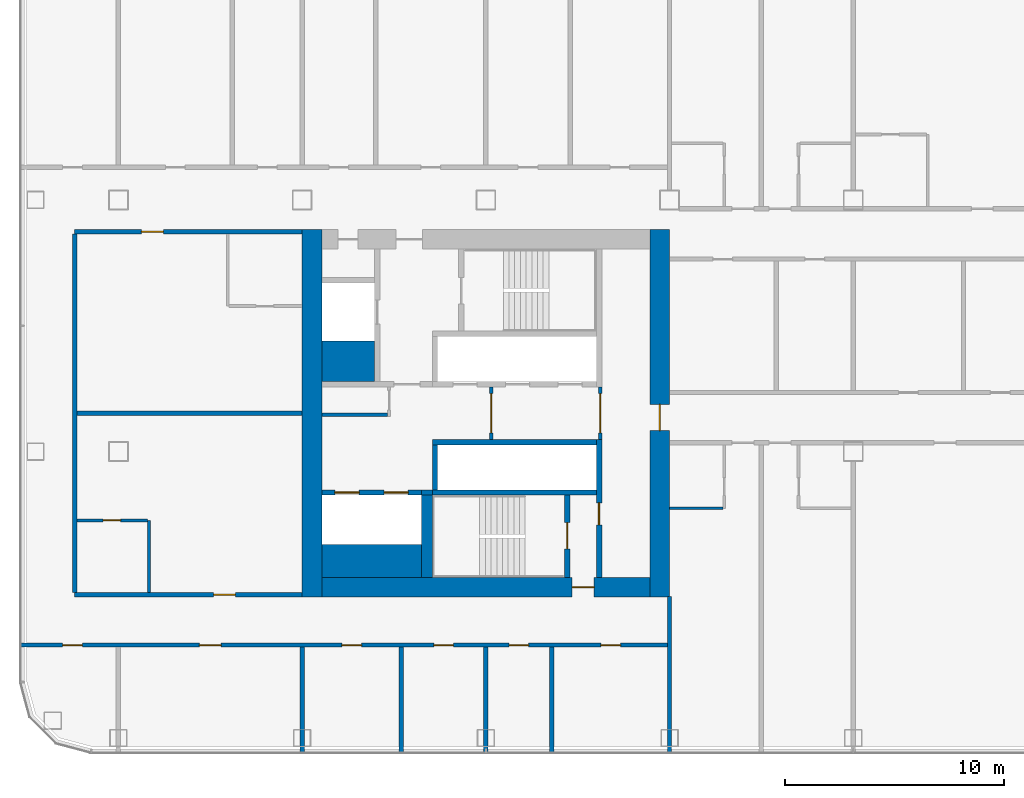
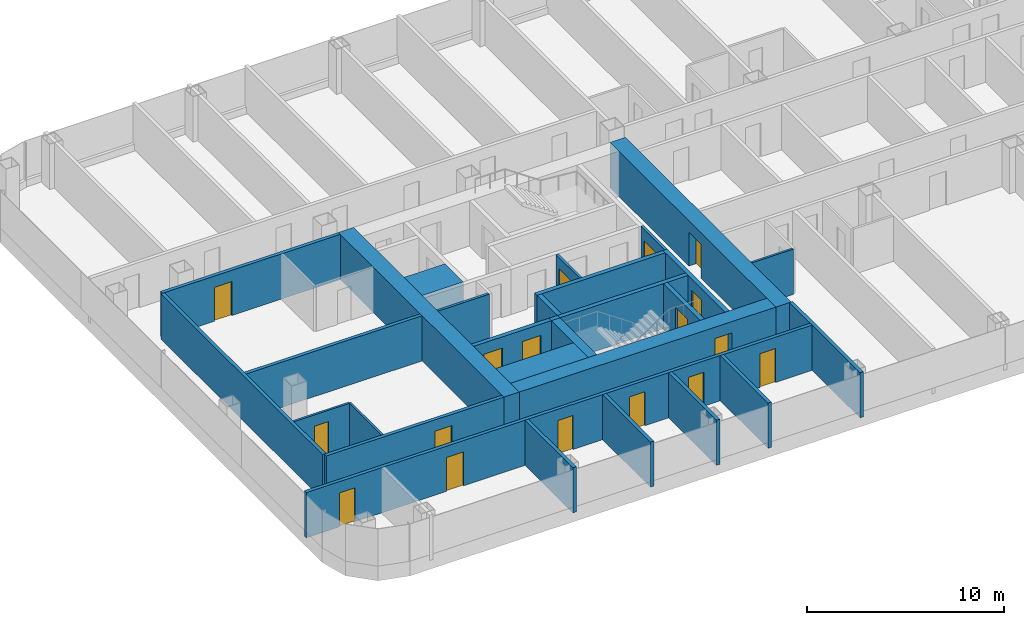
# One storey, part 15 of 29: 29 walls, 17 doors, 17 openings.
"""IFC4 building model written with IfcOpenShell, lengths in metres."""

from ifc_helpers import new_model, si_unit, direction, frame, frame_2d, origin, place, context, subcontext, project, spatial, rectangle, extrude, material, layer, layer_set, type_object, element, fill, save


model = new_model("IFC4")

# Units and contexts
model_context = context("Model", 3, precision=1e-05, world=origin(), true_north=direction((0.0, 1.0)))
body_context = subcontext(model_context, "Body", "Model", "MODEL_VIEW")
ifc_project = project(units=[si_unit("LENGTHUNIT", "METRE"), si_unit("AREAUNIT", "SQUARE_METRE"), si_unit("VOLUMEUNIT", "CUBIC_METRE"), si_unit("PLANEANGLEUNIT", "RADIAN"), si_unit("MASSUNIT", "GRAM", prefix="KILO")], contexts=[model_context])

# Site, building, storey
site_placement = place(None, origin())
site = spatial("IfcSite", under=ifc_project, at=site_placement, CompositionType="ELEMENT")
building_placement = place(site_placement, origin())
building = spatial("IfcBuilding", under=site, at=building_placement, Name="Hakoniwa Tower and Hamabe Station Hall", CompositionType="ELEMENT")
storey_placement = place(building_placement, frame((0.0, 0.0, 101.0)))
storey = spatial("IfcBuildingStorey", under=building, at=storey_placement, Name="L28", CompositionType="ELEMENT", Elevation=101.0)

# Wall, opening, door
ifc_material_1 = material(Name="Gypsum board partition", Category="gypsum")
ifc_layer_1 = layer(ifc_material_1, 0.125)
ifc_layer_set_1 = layer_set([ifc_layer_1], Name="Bathroom Partition 125")
wall_type_1 = type_object("IfcWallType", Name="Bathroom Partition 125", PredefinedType="PARTITIONING", material=ifc_layer_set_1)
wall_1_placement = place(storey_placement, frame((-43.89990234375, -4.89990234375, 0.0), z_axis=(0.0, 0.0, 1.0), x_axis=(1.0, 0.0, 0.0)))
wall_1 = element("IfcWall", 1, at=wall_1_placement, inside=storey, type_object=wall_type_1, Name="GW-L28-005", PredefinedType="PARTITIONING", context=body_context, shape_type="SweptSolid", body=[
    extrude(rectangle(XDim=3.2373046875, YDim=0.125, at=frame_2d((1.61865234375, 0.0))), origin(), (0.0, 0.0, 1.0), 2.800048828125),
])
opening_1_placement = place(wall_1_placement, frame((1.199951171875, 0.0, 0.0)))
opening_1 = element("IfcOpeningElement", 2, at=opening_1_placement, cuts=wall_1, Name="Opening GD-G2D1-16", PredefinedType="OPENING", context=body_context, shape_type="SweptSolid", body=[
    extrude(rectangle(XDim=0.800048828125, YDim=2.10009765625, at=frame_2d((0.39990234375, 1.050048828125))), frame((0.0, 0.072509765625, 0.0), z_axis=(0.0, -1.0, 0.0), x_axis=(1.0, 0.0, 0.0)), (0.0, 0.0, 1.0), 0.14501953125),
])
ifc_material_2 = material(Name="Timber door leaf", Category="wood")
door_type_1 = type_object("IfcDoorType", Name="Bathroom Door 800", OperationType="SINGLE_SWING_LEFT", PredefinedType="DOOR", material=ifc_material_2)
door_1_placement = place(opening_1_placement, origin())
door_1 = element("IfcDoor", 3, at=door_1_placement, inside=storey, type_object=door_type_1, Name="Door GD-G2D1-16", OperationType="SINGLE_SWING_RIGHT", OverallHeight=2.10009765625, OverallWidth=0.800048828125, PredefinedType="DOOR", context=body_context, shape_type="SweptSolid", body=[
    extrude(rectangle(XDim=0.800048828125, YDim=2.10009765625, at=frame_2d((0.39990234375, 1.050048828125))), frame((0.0, 0.02490234375, 0.0), z_axis=(0.0, -1.0, 0.0), x_axis=(1.0, 0.0, 0.0)), (0.0, 0.0, 1.0), 0.050048828125),
])
fill(opening_1, door_1)

# Walls
wall_2_placement = place(storey_placement, frame((-16.81005859375, -4.35009765625, 0.0), z_axis=(0.0, 0.0, 1.0), x_axis=(1.0, 0.0, 0.0)))
element("IfcWall", 4, at=wall_2_placement, inside=storey, type_object=wall_type_1, Name="GW-L28-008", PredefinedType="PARTITIONING", context=body_context, shape_type="SweptSolid", body=[
    extrude(rectangle(XDim=2.447509765625, YDim=0.125, at=frame_2d((1.2236328125, 0.0))), origin(), (0.0, 0.0, 1.0), 2.800048828125),
])
wall_3_placement = place(storey_placement, frame((-40.60009765625, -8.199951171875, 0.0), z_axis=(0.0, 0.0, 1.0), x_axis=(0.0, 1.0, 0.0)))
element("IfcWall", 5, at=wall_3_placement, inside=storey, type_object=wall_type_1, Name="GW-L28-033", PredefinedType="PARTITIONING", context=body_context, shape_type="SweptSolid", body=[
    extrude(rectangle(XDim=3.300048828125, YDim=0.125, at=frame_2d((1.64990234375, 0.0))), origin(), (0.0, 0.0, 1.0), 2.800048828125),
])

# Wall, opening, door
ifc_material_3 = material(Name="Gypsum board partition")
ifc_layer_2 = layer(ifc_material_3, 0.14990234375)
ifc_layer_set_2 = layer_set([ifc_layer_2], Name="CORE PARTITION 150 EI 60")
wall_type_2 = type_object("IfcWallType", Name="CORE PARTITION 150 EI 60", PredefinedType="PARTITIONING", material=ifc_layer_set_2)
wall_4_placement = place(storey_placement, frame((-19.97509765625, -1.199951171875, 0.0), z_axis=(0.0, 0.0, 1.0), x_axis=(0.0, 1.0, 0.0)))
wall_4 = element("IfcWall", 6, at=wall_4_placement, inside=storey, type_object=wall_type_2, Name="Core partition PL0 west", PredefinedType="PARTITIONING", context=body_context, shape_type="SweptSolid", body=[
    extrude(rectangle(XDim=2.39990234375, YDim=0.14990234375, at=frame_2d((1.199951171875, 0.0))), origin(), (0.0, 0.0, 1.0), 2.800048828125),
])
opening_2_placement = place(wall_4_placement, frame((0.300048828125, 0.0, 0.0)))
opening_2 = element("IfcOpeningElement", 7, at=opening_2_placement, cuts=wall_4, Name="Opening CD-W-LP0-18", PredefinedType="OPENING", context=body_context, shape_type="SweptSolid", body=[
    extrude(rectangle(XDim=1.800048828125, YDim=2.10009765625, at=frame_2d((0.89990234375, 1.050048828125))), frame((0.0, 0.0849609375, 0.0), z_axis=(0.0, -1.0, 0.0), x_axis=(1.0, 0.0, 0.0)), (0.0, 0.0, 1.0), 0.169921875),
])
ifc_material_4 = material(Name="Steel fire door", Category="steel")
door_type_2 = type_object("IfcDoorType", Name="CORE DOOR 1800 FD60", OperationType="DOUBLE_DOOR_SINGLE_SWING", PredefinedType="DOOR", material=ifc_material_4)
door_2_placement = place(opening_2_placement, origin())
door_2 = element("IfcDoor", 8, at=door_2_placement, inside=storey, type_object=door_type_2, Name="Lift lobby partition door", OperationType="DOUBLE_DOOR_SINGLE_SWING", OverallHeight=2.10009765625, OverallWidth=1.800048828125, PredefinedType="DOOR", context=body_context, shape_type="SweptSolid", body=[
    extrude(rectangle(XDim=1.800048828125, YDim=2.10009765625, at=frame_2d((0.89990234375, 1.050048828125))), frame((0.0, 0.02490234375, 0.0), z_axis=(0.0, -1.0, 0.0), x_axis=(1.0, 0.0, 0.0)), (0.0, 0.0, 1.0), 0.050048828125),
])
fill(opening_2, door_2)

wall_5_placement = place(storey_placement, frame((-24.949951171875, -1.199951171875, 0.0), z_axis=(0.0, 0.0, 1.0), x_axis=(0.0, 1.0, 0.0)))
wall_5 = element("IfcWall", 9, at=wall_5_placement, inside=storey, type_object=wall_type_2, Name="Core partition PL1 west", PredefinedType="PARTITIONING", context=body_context, shape_type="SweptSolid", body=[
    extrude(rectangle(XDim=2.39990234375, YDim=0.14990234375, at=frame_2d((1.199951171875, 0.0))), origin(), (0.0, 0.0, 1.0), 2.800048828125),
])
opening_3_placement = place(wall_5_placement, frame((0.300048828125, 0.0, 0.0)))
opening_3 = element("IfcOpeningElement", 10, at=opening_3_placement, cuts=wall_5, Name="Opening CD-W-LP1-18", PredefinedType="OPENING", context=body_context, shape_type="SweptSolid", body=[
    extrude(rectangle(XDim=1.800048828125, YDim=2.10009765625, at=frame_2d((0.89990234375, 1.050048828125))), frame((0.0, 0.0849609375, 0.0), z_axis=(0.0, -1.0, 0.0), x_axis=(1.0, 0.0, 0.0)), (0.0, 0.0, 1.0), 0.169921875),
])
door_3_placement = place(opening_3_placement, origin())
door_3 = element("IfcDoor", 11, at=door_3_placement, inside=storey, type_object=door_type_2, Name="Lift lobby partition door", OperationType="DOUBLE_DOOR_SINGLE_SWING", OverallHeight=2.10009765625, OverallWidth=1.800048828125, PredefinedType="DOOR", context=body_context, shape_type="SweptSolid", body=[
    extrude(rectangle(XDim=1.800048828125, YDim=2.10009765625, at=frame_2d((0.89990234375, 1.050048828125))), frame((0.0, 0.02490234375, 0.0), z_axis=(0.0, -1.0, 0.0), x_axis=(1.0, 0.0, 0.0)), (0.0, 0.0, 1.0), 0.050048828125),
])
fill(opening_3, door_3)

# Wall
wall_6_placement = place(storey_placement, frame((-32.699951171875, -0.074951171875, 0.0), z_axis=(0.0, 0.0, 1.0), x_axis=(1.0, 0.0, 0.0)))
element("IfcWall", 12, at=wall_6_placement, inside=storey, type_object=wall_type_2, Name="Core partition PS west", PredefinedType="PARTITIONING", context=body_context, shape_type="SweptSolid", body=[
    extrude(rectangle(XDim=3.0, YDim=0.14990234375, at=frame_2d((1.5, 0.0))), origin(), (0.0, 0.0, 1.0), 2.800048828125),
])

# Wall, opening, door
ifc_material_5 = material(Name="Concrete C72", Category="concrete")
ifc_layer_3 = layer(ifc_material_5, 0.89990234375)
ifc_layer_set_3 = layer_set([ifc_layer_3], Name="CORE WALL 900 C72")
wall_type_3 = type_object("IfcWallType", Name="CORE WALL 900 C72", PredefinedType="SHEAR", material=ifc_layer_set_3)
wall_7_placement = place(storey_placement, frame((-17.25, -8.39990234375, 0.0), z_axis=(0.0, 0.0, 1.0), x_axis=(0.0, 1.0, 0.0)))
wall_7 = element("IfcWall", 13, at=wall_7_placement, inside=storey, type_object=wall_type_3, Name="Core wall INNER west", PredefinedType="SHEAR", context=body_context, shape_type="SweptSolid", body=[
    extrude(rectangle(XDim=16.7998046875, YDim=0.89990234375, at=frame_2d((8.39990234375, 0.0))), origin(), (0.0, 0.0, 1.0), 2.800048828125),
])
opening_4_placement = place(wall_7_placement, frame((7.60009765625, 0.0, 0.0)))
opening_4 = element("IfcOpeningElement", 14, at=opening_4_placement, cuts=wall_7, Name="Opening CD-W-IN1-12", PredefinedType="OPENING", context=body_context, shape_type="SweptSolid", body=[
    extrude(rectangle(XDim=1.199951171875, YDim=2.10009765625, at=frame_2d((0.60009765625, 1.050048828125))), frame((0.0, 0.4599609375, 0.0), z_axis=(0.0, -1.0, 0.0), x_axis=(1.0, 0.0, 0.0)), (0.0, 0.0, 1.0), 0.919921875),
])
ifc_material_6 = material(Name="Steel fire door", Category="steel")
door_type_3 = type_object("IfcDoorType", Name="CORE DOOR 1200 FD60", OperationType="DOUBLE_DOOR_SINGLE_SWING", PredefinedType="DOOR", material=ifc_material_6)
door_4_placement = place(opening_4_placement, origin())
door_4 = element("IfcDoor", 15, at=door_4_placement, inside=storey, type_object=door_type_3, Name="Lift lobby door", OperationType="DOUBLE_DOOR_SINGLE_SWING", OverallHeight=2.10009765625, OverallWidth=1.199951171875, PredefinedType="DOOR", context=body_context, shape_type="SweptSolid", body=[
    extrude(rectangle(XDim=1.199951171875, YDim=2.10009765625, at=frame_2d((0.60009765625, 1.050048828125))), frame((0.0, 0.02490234375, 0.0), z_axis=(0.0, -1.0, 0.0), x_axis=(1.0, 0.0, 0.0)), (0.0, 0.0, 1.0), 0.050048828125),
])
fill(opening_4, door_4)

# Wall
wall_8_placement = place(storey_placement, frame((-33.14990234375, -8.39990234375, 0.0), z_axis=(0.0, 0.0, 1.0), x_axis=(0.0, 1.0, 0.0)))
element("IfcWall", 16, at=wall_8_placement, inside=storey, type_object=wall_type_3, Name="Core wall OUTER west", PredefinedType="SHEAR", context=body_context, shape_type="SweptSolid", body=[
    extrude(rectangle(XDim=16.7998046875, YDim=0.89990234375, at=frame_2d((8.39990234375, 0.0))), origin(), (0.0, 0.0, 1.0), 2.800048828125),
])

# Wall, opening, door
wall_9_placement = place(storey_placement, frame((-32.699951171875, -7.949951171875, 0.0), z_axis=(0.0, 0.0, 1.0), x_axis=(1.0, 0.0, 0.0)))
wall_9 = element("IfcWall", 17, at=wall_9_placement, inside=storey, type_object=wall_type_3, Name="Core wall SOUTH west", PredefinedType="SHEAR", context=body_context, shape_type="SweptSolid", body=[
    extrude(rectangle(XDim=15.0, YDim=0.89990234375, at=frame_2d((7.5, 0.0))), origin(), (0.0, 0.0, 1.0), 2.800048828125),
])
opening_5_placement = place(wall_9_placement, frame((11.449951171875, 0.0, 0.0)))
opening_5 = element("IfcOpeningElement", 18, at=opening_5_placement, cuts=wall_9, Name="Opening CD-W-FS3-10", PredefinedType="OPENING", context=body_context, shape_type="SweptSolid", body=[
    extrude(rectangle(XDim=1.0, YDim=2.10009765625, at=frame_2d((0.5, 1.050048828125))), frame((0.0, 0.4599609375, 0.0), z_axis=(0.0, -1.0, 0.0), x_axis=(1.0, 0.0, 0.0)), (0.0, 0.0, 1.0), 0.919921875),
])
ifc_material_7 = material(Name="Steel fire door", Category="steel")
door_type_4 = type_object("IfcDoorType", Name="CORE DOOR 1000 FD60", OperationType="NOTDEFINED", PredefinedType="DOOR", material=ifc_material_7)
door_5_placement = place(opening_5_placement, origin())
door_5 = element("IfcDoor", 19, at=door_5_placement, inside=storey, type_object=door_type_4, Name="Stair vestibule door", OperationType="SINGLE_SWING_LEFT", OverallHeight=2.10009765625, OverallWidth=1.0, PredefinedType="DOOR", context=body_context, shape_type="SweptSolid", body=[
    extrude(rectangle(XDim=1.0, YDim=2.10009765625, at=frame_2d((0.5, 1.050048828125))), frame((0.0, 0.02490234375, 0.0), z_axis=(0.0, -1.0, 0.0), x_axis=(1.0, 0.0, 0.0)), (0.0, 0.0, 1.0), 0.050048828125),
])
fill(opening_5, door_5)

# Walls
ifc_material_8 = material(Name="Concrete C72", Category="concrete")
ifc_layer_4 = layer(ifc_material_8, 1.5)
ifc_layer_set_4 = layer_set([ifc_layer_4], Name="CORE WEB WALL 1500 C72")
wall_type_4 = type_object("IfcWallType", Name="CORE WEB WALL 1500 C72", PredefinedType="SHEAR", material=ifc_layer_set_4)
wall_10_placement = place(storey_placement, frame((-32.699951171875, -6.75, 0.0), z_axis=(0.0, 0.0, 1.0), x_axis=(1.0, 0.0, 0.0)))
element("IfcWall", 20, at=wall_10_placement, inside=storey, type_object=wall_type_4, Name="Core wall SER west", PredefinedType="SHEAR", context=body_context, shape_type="SweptSolid", body=[
    extrude(rectangle(XDim=4.550048828125, YDim=1.5, at=frame_2d((2.27490234375, 0.0))), origin(), (0.0, 0.0, 1.0), 2.800048828125),
])
ifc_material_9 = material(Name="Concrete C72", Category="concrete")
ifc_layer_5 = layer(ifc_material_9, 1.85009765625)
ifc_layer_set_5 = layer_set([ifc_layer_5], Name="CORE WEB WALL 1850 C72")
wall_type_5 = type_object("IfcWallType", Name="CORE WEB WALL 1850 C72", PredefinedType="SHEAR", material=ifc_layer_set_5)
wall_11_placement = place(storey_placement, frame((-32.699951171875, 2.375, 0.0), z_axis=(0.0, 0.0, 1.0), x_axis=(1.0, 0.0, 0.0)))
element("IfcWall", 21, at=wall_11_placement, inside=storey, type_object=wall_type_5, Name="Core wall CA west", PredefinedType="SHEAR", context=body_context, shape_type="SweptSolid", body=[
    extrude(rectangle(XDim=2.39990234375, YDim=1.85009765625, at=frame_2d((1.199951171875, 0.0))), origin(), (0.0, 0.0, 1.0), 2.800048828125),
])

# Wall, opening, door
ifc_material_10 = material(Name="Concrete C72", Category="concrete")
ifc_layer_6 = layer(ifc_material_10, 0.25)
ifc_layer_set_6 = layer_set([ifc_layer_6], Name="CORE WEB WALL 250 C72")
wall_type_6 = type_object("IfcWallType", Name="CORE WEB WALL 250 C72", PredefinedType="SHEAR", material=ifc_layer_set_6)
wall_12_placement = place(storey_placement, frame((-20.02490234375, -7.5, 0.0), z_axis=(0.0, 0.0, 1.0), x_axis=(0.0, 1.0, 0.0)))
wall_12 = element("IfcWall", 22, at=wall_12_placement, inside=storey, type_object=wall_type_6, Name="Core wall W1S west", PredefinedType="SHEAR", context=body_context, shape_type="SweptSolid", body=[
    extrude(rectangle(XDim=6.300048828125, YDim=0.25, at=frame_2d((3.14990234375, 0.0))), origin(), (0.0, 0.0, 1.0), 2.800048828125),
])
opening_6_placement = place(wall_12_placement, frame((2.39990234375, 0.0, 0.0)))
opening_6 = element("IfcOpeningElement", 23, at=opening_6_placement, cuts=wall_12, Name="Opening CD-W-VS-10", PredefinedType="OPENING", context=body_context, shape_type="SweptSolid", body=[
    extrude(rectangle(XDim=1.0, YDim=2.10009765625, at=frame_2d((0.5, 1.050048828125))), frame((0.0, 0.135009765625, 0.0), z_axis=(0.0, -1.0, 0.0), x_axis=(1.0, 0.0, 0.0)), (0.0, 0.0, 1.0), 0.27001953125),
])
door_6_placement = place(opening_6_placement, origin())
door_6 = element("IfcDoor", 24, at=door_6_placement, inside=storey, type_object=door_type_4, Name="Stair vestibule door", OperationType="SINGLE_SWING_LEFT", OverallHeight=2.10009765625, OverallWidth=1.0, PredefinedType="DOOR", context=body_context, shape_type="SweptSolid", body=[
    extrude(rectangle(XDim=1.0, YDim=2.10009765625, at=frame_2d((0.5, 1.050048828125))), frame((0.0, 0.02490234375, 0.0), z_axis=(0.0, -1.0, 0.0), x_axis=(1.0, 0.0, 0.0)), (0.0, 0.0, 1.0), 0.050048828125),
])
fill(opening_6, door_6)

# Walls
wall_13_placement = place(storey_placement, frame((-27.64990234375, -1.324951171875, 0.0), z_axis=(0.0, 0.0, 1.0), x_axis=(1.0, 0.0, 0.0)))
element("IfcWall", 25, at=wall_13_placement, inside=storey, type_object=wall_type_6, Name="Core wall SF west", PredefinedType="SHEAR", context=body_context, shape_type="SweptSolid", body=[
    extrude(rectangle(XDim=7.5, YDim=0.25, at=frame_2d((3.75, 0.0))), origin(), (0.0, 0.0, 1.0), 2.800048828125),
])
wall_14_placement = place(storey_placement, frame((-27.52490234375, -3.5, 0.0), z_axis=(0.0, 0.0, 1.0), x_axis=(0.0, 1.0, 0.0)))
element("IfcWall", 26, at=wall_14_placement, inside=storey, type_object=wall_type_6, Name="Core wall SE west", PredefinedType="SHEAR", context=body_context, shape_type="SweptSolid", body=[
    extrude(rectangle(XDim=2.050048828125, YDim=0.25, at=frame_2d((1.02490234375, 0.0))), origin(), (0.0, 0.0, 1.0), 2.800048828125),
])
wall_15_placement = place(storey_placement, frame((-27.64990234375, -3.625, 0.0), z_axis=(0.0, 0.0, 1.0), x_axis=(1.0, 0.0, 0.0)))
element("IfcWall", 27, at=wall_15_placement, inside=storey, type_object=wall_type_6, Name="Core wall SR west", PredefinedType="SHEAR", context=body_context, shape_type="SweptSolid", body=[
    extrude(rectangle(XDim=7.5, YDim=0.25, at=frame_2d((3.75, 0.0))), origin(), (0.0, 0.0, 1.0), 2.800048828125),
])

# Wall, opening, door
wall_16_placement = place(storey_placement, frame((-21.47509765625, -7.5, 0.0), z_axis=(0.0, 0.0, 1.0), x_axis=(0.0, 1.0, 0.0)))
wall_16 = element("IfcWall", 28, at=wall_16_placement, inside=storey, type_object=wall_type_6, Name="Core wall VE west", PredefinedType="SHEAR", context=body_context, shape_type="SweptSolid", body=[
    extrude(rectangle(XDim=3.75, YDim=0.25, at=frame_2d((1.875, 0.0))), origin(), (0.0, 0.0, 1.0), 2.800048828125),
])
opening_7_placement = place(wall_16_placement, frame((1.300048828125, 0.0, 0.0)))
opening_7 = element("IfcOpeningElement", 29, at=opening_7_placement, cuts=wall_16, Name="Opening CD-W-SS-12", PredefinedType="OPENING", context=body_context, shape_type="SweptSolid", body=[
    extrude(rectangle(XDim=1.199951171875, YDim=2.10009765625, at=frame_2d((0.60009765625, 1.050048828125))), frame((0.0, 0.135009765625, 0.0), z_axis=(0.0, -1.0, 0.0), x_axis=(1.0, 0.0, 0.0)), (0.0, 0.0, 1.0), 0.27001953125),
])
door_7_placement = place(opening_7_placement, origin())
door_7 = element("IfcDoor", 30, at=door_7_placement, inside=storey, type_object=door_type_3, Name="Escape stair door", OperationType="DOUBLE_DOOR_SINGLE_SWING", OverallHeight=2.10009765625, OverallWidth=1.199951171875, PredefinedType="DOOR", context=body_context, shape_type="SweptSolid", body=[
    extrude(rectangle(XDim=1.199951171875, YDim=2.10009765625, at=frame_2d((0.60009765625, 1.050048828125))), frame((0.0, 0.02490234375, 0.0), z_axis=(0.0, -1.0, 0.0), x_axis=(1.0, 0.0, 0.0)), (0.0, 0.0, 1.0), 0.050048828125),
])
fill(opening_7, door_7)

# Wall, openings, doors
wall_17_placement = place(storey_placement, frame((-32.699951171875, -3.625, 0.0), z_axis=(0.0, 0.0, 1.0), x_axis=(1.0, 0.0, 0.0)))
wall_17 = element("IfcWall", 31, at=wall_17_placement, inside=storey, type_object=wall_type_6, Name="Core wall SEF west", PredefinedType="SHEAR", context=body_context, shape_type="SweptSolid", body=[
    extrude(rectangle(XDim=4.550048828125, YDim=0.25, at=frame_2d((2.27490234375, 0.0))), origin(), (0.0, 0.0, 1.0), 2.800048828125),
])
opening_8_placement = place(wall_17_placement, frame((2.85009765625, 0.0, 0.0)))
opening_8 = element("IfcOpeningElement", 32, at=opening_8_placement, cuts=wall_17, Name="Opening LD-SV1", PredefinedType="OPENING", context=body_context, shape_type="SweptSolid", body=[
    extrude(rectangle(XDim=1.10009765625, YDim=2.10009765625, at=frame_2d((0.550048828125, 1.050048828125))), frame((0.0, 0.135009765625, 0.0), z_axis=(0.0, -1.0, 0.0), x_axis=(1.0, 0.0, 0.0)), (0.0, 0.0, 1.0), 0.27001953125),
])
opening_9_placement = place(wall_17_placement, frame((0.60009765625, 0.0, 0.0)))
opening_9 = element("IfcOpeningElement", 33, at=opening_9_placement, cuts=wall_17, Name="Opening LD-SV2", PredefinedType="OPENING", context=body_context, shape_type="SweptSolid", body=[
    extrude(rectangle(XDim=1.10009765625, YDim=2.10009765625, at=frame_2d((0.550048828125, 1.050048828125))), frame((0.0, 0.135009765625, 0.0), z_axis=(0.0, -1.0, 0.0), x_axis=(1.0, 0.0, 0.0)), (0.0, 0.0, 1.0), 0.27001953125),
])
ifc_material_11 = material(Name="Stainless steel SUS304", Category="steel")
door_type_5 = type_object("IfcDoorType", Name="LIFT LANDING DOOR 1100 FD60", OperationType="DOUBLE_DOOR_SLIDING", PredefinedType="DOOR", material=ifc_material_11)
door_8_placement = place(opening_8_placement, origin())
door_8 = element("IfcDoor", 34, at=door_8_placement, inside=storey, type_object=door_type_5, Name="Lift landing door SV1 L28", OperationType="DOUBLE_DOOR_SLIDING", OverallHeight=2.10009765625, OverallWidth=1.10009765625, PredefinedType="DOOR", context=body_context, shape_type="SweptSolid", body=[
    extrude(rectangle(XDim=1.10009765625, YDim=2.10009765625, at=frame_2d((0.550048828125, 1.050048828125))), frame((0.0, 0.02490234375, 0.0), z_axis=(0.0, -1.0, 0.0), x_axis=(1.0, 0.0, 0.0)), (0.0, 0.0, 1.0), 0.050048828125),
])
fill(opening_8, door_8)
door_9_placement = place(opening_9_placement, origin())
door_9 = element("IfcDoor", 35, at=door_9_placement, inside=storey, type_object=door_type_5, Name="Lift landing door SV2 L28", OperationType="DOUBLE_DOOR_SLIDING", OverallHeight=2.10009765625, OverallWidth=1.10009765625, PredefinedType="DOOR", context=body_context, shape_type="SweptSolid", body=[
    extrude(rectangle(XDim=1.10009765625, YDim=2.10009765625, at=frame_2d((0.550048828125, 1.050048828125))), frame((0.0, 0.02490234375, 0.0), z_axis=(0.0, -1.0, 0.0), x_axis=(1.0, 0.0, 0.0)), (0.0, 0.0, 1.0), 0.050048828125),
])
fill(opening_9, door_9)

# Walls
wall_18_placement = place(storey_placement, frame((-28.14990234375, -3.625, 0.0), z_axis=(0.0, 0.0, 1.0), x_axis=(1.0, 0.0, 0.0)))
element("IfcWall", 36, at=wall_18_placement, inside=storey, type_object=wall_type_6, Name="Core wall SRK west", PredefinedType="SHEAR", context=body_context, shape_type="SweptSolid", body=[
    extrude(rectangle(XDim=0.5, YDim=0.25, at=frame_2d((0.25, 0.0))), origin(), (0.0, 0.0, 1.0), 2.800048828125),
])
ifc_material_12 = material(Name="Concrete C72", Category="concrete")
ifc_layer_7 = layer(ifc_material_12, 0.5)
ifc_layer_set_7 = layer_set([ifc_layer_7], Name="CORE WEB WALL 500 C72")
wall_type_7 = type_object("IfcWallType", Name="CORE WEB WALL 500 C72", PredefinedType="SHEAR", material=ifc_layer_set_7)
wall_19_placement = place(storey_placement, frame((-27.89990234375, -7.5, 0.0), z_axis=(0.0, 0.0, 1.0), x_axis=(0.0, 1.0, 0.0)))
element("IfcWall", 37, at=wall_19_placement, inside=storey, type_object=wall_type_7, Name="Core wall SSE west", PredefinedType="SHEAR", context=body_context, shape_type="SweptSolid", body=[
    extrude(rectangle(XDim=3.75, YDim=0.5, at=frame_2d((1.875, 0.0))), origin(), (0.0, 0.0, 1.0), 2.800048828125),
])

# Wall, openings, doors
ifc_material_13 = material(Name="Fire-rated gypsum board partition", Category="gypsum")
ifc_layer_8 = layer(ifc_material_13, 0.199951171875)
ifc_layer_set_8 = layer_set([ifc_layer_8], Name="Corridor Wall 200")
wall_type_8 = type_object("IfcWallType", Name="Corridor Wall 200", PredefinedType="PARTITIONING", material=ifc_layer_set_8)
wall_20_placement = place(storey_placement, frame((-46.5, -10.60009765625, 0.0), z_axis=(0.0, 0.0, 1.0), x_axis=(1.0, 0.0, 0.0)))
wall_20 = element("IfcWall", 38, at=wall_20_placement, inside=storey, type_object=wall_type_8, Name="GW-L28-001", PredefinedType="PARTITIONING", context=body_context, shape_type="SweptSolid", body=[
    extrude(rectangle(XDim=29.699951171875, YDim=0.199951171875, at=frame_2d((14.85009765625, 0.0))), origin(), (0.0, 0.0, 1.0), 2.800048828125),
])
opening_10_placement = place(wall_20_placement, frame((1.949951171875, 0.0, 0.0)))
opening_10 = element("IfcOpeningElement", 39, at=opening_10_placement, cuts=wall_20, Name="Opening GD-G2D1-01", PredefinedType="OPENING", context=body_context, shape_type="SweptSolid", body=[
    extrude(rectangle(XDim=0.89990234375, YDim=2.10009765625, at=frame_2d((0.449951171875, 1.050048828125))), frame((0.0, 0.10986328125, 0.0), z_axis=(0.0, -1.0, 0.0), x_axis=(1.0, 0.0, 0.0)), (0.0, 0.0, 1.0), 0.219970703125),
])
opening_11_placement = place(wall_20_placement, frame((8.199951171875, 0.0, 0.0)))
opening_11 = element("IfcOpeningElement", 40, at=opening_11_placement, cuts=wall_20, Name="Opening GD-G2D1-02", PredefinedType="OPENING", context=body_context, shape_type="SweptSolid", body=[
    extrude(rectangle(XDim=1.0, YDim=2.10009765625, at=frame_2d((0.5, 1.050048828125))), frame((0.0, 0.10986328125, 0.0), z_axis=(0.0, -1.0, 0.0), x_axis=(1.0, 0.0, 0.0)), (0.0, 0.0, 1.0), 0.219970703125),
])
opening_12_placement = place(wall_20_placement, frame((14.719970703125, 0.0, 0.0)))
opening_12 = element("IfcOpeningElement", 41, at=opening_12_placement, cuts=wall_20, Name="Opening GD-G2D1-03", PredefinedType="OPENING", context=body_context, shape_type="SweptSolid", body=[
    extrude(rectangle(XDim=0.89990234375, YDim=2.10009765625, at=frame_2d((0.449951171875, 1.050048828125))), frame((0.0, 0.10986328125, 0.0), z_axis=(0.0, -1.0, 0.0), x_axis=(1.0, 0.0, 0.0)), (0.0, 0.0, 1.0), 0.219970703125),
])
opening_13_placement = place(wall_20_placement, frame((18.919921875, 0.0, 0.0)))
opening_13 = element("IfcOpeningElement", 42, at=opening_13_placement, cuts=wall_20, Name="Opening GD-G2D1-04", PredefinedType="OPENING", context=body_context, shape_type="SweptSolid", body=[
    extrude(rectangle(XDim=0.89990234375, YDim=2.10009765625, at=frame_2d((0.449951171875, 1.050048828125))), frame((0.0, 0.10986328125, 0.0), z_axis=(0.0, -1.0, 0.0), x_axis=(1.0, 0.0, 0.0)), (0.0, 0.0, 1.0), 0.219970703125),
])
opening_14_placement = place(wall_20_placement, frame((22.360107421875, 0.0, 0.0)))
opening_14 = element("IfcOpeningElement", 43, at=opening_14_placement, cuts=wall_20, Name="Opening GD-G2D1-05", PredefinedType="OPENING", context=body_context, shape_type="SweptSolid", body=[
    extrude(rectangle(XDim=0.89990234375, YDim=2.10009765625, at=frame_2d((0.449951171875, 1.050048828125))), frame((0.0, 0.10986328125, 0.0), z_axis=(0.0, -1.0, 0.0), x_axis=(1.0, 0.0, 0.0)), (0.0, 0.0, 1.0), 0.219970703125),
])
opening_15_placement = place(wall_20_placement, frame((26.56005859375, 0.0, 0.0)))
opening_15 = element("IfcOpeningElement", 44, at=opening_15_placement, cuts=wall_20, Name="Opening GD-G2D1-06", PredefinedType="OPENING", context=body_context, shape_type="SweptSolid", body=[
    extrude(rectangle(XDim=0.89990234375, YDim=2.10009765625, at=frame_2d((0.449951171875, 1.050048828125))), frame((0.0, 0.10986328125, 0.0), z_axis=(0.0, -1.0, 0.0), x_axis=(1.0, 0.0, 0.0)), (0.0, 0.0, 1.0), 0.219970703125),
])
ifc_material_14 = material(Name="Timber door leaf", Category="wood")
door_type_6 = type_object("IfcDoorType", Name="Guest Entrance Door 1000", OperationType="SINGLE_SWING_LEFT", PredefinedType="DOOR", material=ifc_material_14)
door_10_placement = place(opening_11_placement, origin())
door_10 = element("IfcDoor", 45, at=door_10_placement, inside=storey, type_object=door_type_6, Name="Door GD-G2D1-02", OperationType="SINGLE_SWING_LEFT", OverallHeight=2.10009765625, OverallWidth=1.0, PredefinedType="DOOR", context=body_context, shape_type="SweptSolid", body=[
    extrude(rectangle(XDim=1.0, YDim=2.10009765625, at=frame_2d((0.5, 1.050048828125))), frame((0.0, 0.02490234375, 0.0), z_axis=(0.0, -1.0, 0.0), x_axis=(1.0, 0.0, 0.0)), (0.0, 0.0, 1.0), 0.050048828125),
])
fill(opening_11, door_10)
ifc_material_15 = material(Name="Timber door leaf", Category="wood")
door_type_7 = type_object("IfcDoorType", Name="Service Door 900", OperationType="SINGLE_SWING_LEFT", PredefinedType="DOOR", material=ifc_material_15)
door_11_placement = place(opening_10_placement, origin())
door_11 = element("IfcDoor", 46, at=door_11_placement, inside=storey, type_object=door_type_7, Name="Door GD-G2D1-01", OperationType="SINGLE_SWING_RIGHT", OverallHeight=2.10009765625, OverallWidth=0.89990234375, PredefinedType="DOOR", context=body_context, shape_type="SweptSolid", body=[
    extrude(rectangle(XDim=0.89990234375, YDim=2.10009765625, at=frame_2d((0.449951171875, 1.050048828125))), frame((0.0, 0.02490234375, 0.0), z_axis=(0.0, -1.0, 0.0), x_axis=(1.0, 0.0, 0.0)), (0.0, 0.0, 1.0), 0.050048828125),
])
fill(opening_10, door_11)
door_12_placement = place(opening_12_placement, origin())
door_12 = element("IfcDoor", 47, at=door_12_placement, inside=storey, type_object=door_type_7, Name="Door GD-G2D1-03", OperationType="SINGLE_SWING_RIGHT", OverallHeight=2.10009765625, OverallWidth=0.89990234375, PredefinedType="DOOR", context=body_context, shape_type="SweptSolid", body=[
    extrude(rectangle(XDim=0.89990234375, YDim=2.10009765625, at=frame_2d((0.449951171875, 1.050048828125))), frame((0.0, 0.02490234375, 0.0), z_axis=(0.0, -1.0, 0.0), x_axis=(1.0, 0.0, 0.0)), (0.0, 0.0, 1.0), 0.050048828125),
])
fill(opening_12, door_12)
door_13_placement = place(opening_13_placement, origin())
door_13 = element("IfcDoor", 48, at=door_13_placement, inside=storey, type_object=door_type_7, Name="Door GD-G2D1-04", OperationType="SINGLE_SWING_LEFT", OverallHeight=2.10009765625, OverallWidth=0.89990234375, PredefinedType="DOOR", context=body_context, shape_type="SweptSolid", body=[
    extrude(rectangle(XDim=0.89990234375, YDim=2.10009765625, at=frame_2d((0.449951171875, 1.050048828125))), frame((0.0, 0.02490234375, 0.0), z_axis=(0.0, -1.0, 0.0), x_axis=(1.0, 0.0, 0.0)), (0.0, 0.0, 1.0), 0.050048828125),
])
fill(opening_13, door_13)
door_14_placement = place(opening_14_placement, origin())
door_14 = element("IfcDoor", 49, at=door_14_placement, inside=storey, type_object=door_type_7, Name="Door GD-G2D1-05", OperationType="SINGLE_SWING_RIGHT", OverallHeight=2.10009765625, OverallWidth=0.89990234375, PredefinedType="DOOR", context=body_context, shape_type="SweptSolid", body=[
    extrude(rectangle(XDim=0.89990234375, YDim=2.10009765625, at=frame_2d((0.449951171875, 1.050048828125))), frame((0.0, 0.02490234375, 0.0), z_axis=(0.0, -1.0, 0.0), x_axis=(1.0, 0.0, 0.0)), (0.0, 0.0, 1.0), 0.050048828125),
])
fill(opening_14, door_14)
door_15_placement = place(opening_15_placement, origin())
door_15 = element("IfcDoor", 50, at=door_15_placement, inside=storey, type_object=door_type_7, Name="Door GD-G2D1-06", OperationType="SINGLE_SWING_LEFT", OverallHeight=2.10009765625, OverallWidth=0.89990234375, PredefinedType="DOOR", context=body_context, shape_type="SweptSolid", body=[
    extrude(rectangle(XDim=0.89990234375, YDim=2.10009765625, at=frame_2d((0.449951171875, 1.050048828125))), frame((0.0, 0.02490234375, 0.0), z_axis=(0.0, -1.0, 0.0), x_axis=(1.0, 0.0, 0.0)), (0.0, 0.0, 1.0), 0.050048828125),
])
fill(opening_15, door_15)

# Wall, opening, door
wall_21_placement = place(storey_placement, frame((-44.0, -8.300048828125, 0.0), z_axis=(0.0, 0.0, 1.0), x_axis=(1.0, 0.0, 0.0)))
wall_21 = element("IfcWall", 51, at=wall_21_placement, inside=storey, type_object=wall_type_8, Name="GW-L28-003", PredefinedType="PARTITIONING", context=body_context, shape_type="SweptSolid", body=[
    extrude(rectangle(XDim=10.39990234375, YDim=0.199951171875, at=frame_2d((5.199951171875, 0.0))), origin(), (0.0, 0.0, 1.0), 2.800048828125),
])
opening_16_placement = place(wall_21_placement, frame((6.35009765625, 0.0, 0.0)))
opening_16 = element("IfcOpeningElement", 52, at=opening_16_placement, cuts=wall_21, Name="Opening GD-G2D1-14", PredefinedType="OPENING", context=body_context, shape_type="SweptSolid", body=[
    extrude(rectangle(XDim=1.0, YDim=2.10009765625, at=frame_2d((0.5, 1.050048828125))), frame((0.0, 0.10986328125, 0.0), z_axis=(0.0, -1.0, 0.0), x_axis=(1.0, 0.0, 0.0)), (0.0, 0.0, 1.0), 0.219970703125),
])
door_16_placement = place(opening_16_placement, origin())
door_16 = element("IfcDoor", 53, at=door_16_placement, inside=storey, type_object=door_type_6, Name="Door GD-G2D1-14", OperationType="SINGLE_SWING_LEFT", OverallHeight=2.10009765625, OverallWidth=1.0, PredefinedType="DOOR", context=body_context, shape_type="SweptSolid", body=[
    extrude(rectangle(XDim=1.0, YDim=2.10009765625, at=frame_2d((0.5, 1.050048828125))), frame((0.0, 0.02490234375, 0.0), z_axis=(0.0, -1.0, 0.0), x_axis=(1.0, 0.0, 0.0)), (0.0, 0.0, 1.0), 0.050048828125),
])
fill(opening_16, door_16)

wall_22_placement = place(storey_placement, frame((-44.0, 8.300048828125, 0.0), z_axis=(0.0, 0.0, 1.0), x_axis=(1.0, 0.0, 0.0)))
wall_22 = element("IfcWall", 54, at=wall_22_placement, inside=storey, type_object=wall_type_8, Name="GW-L28-019", PredefinedType="PARTITIONING", context=body_context, shape_type="SweptSolid", body=[
    extrude(rectangle(XDim=10.39990234375, YDim=0.199951171875, at=frame_2d((5.199951171875, 0.0))), origin(), (0.0, 0.0, 1.0), 2.800048828125),
])
opening_17_placement = place(wall_22_placement, frame((3.050048828125, 0.0, 0.0)))
opening_17 = element("IfcOpeningElement", 55, at=opening_17_placement, cuts=wall_22, Name="Opening GD-G2D1-35", PredefinedType="OPENING", context=body_context, shape_type="SweptSolid", body=[
    extrude(rectangle(XDim=1.0, YDim=2.10009765625, at=frame_2d((0.5, 1.050048828125))), frame((0.0, 0.10986328125, 0.0), z_axis=(0.0, -1.0, 0.0), x_axis=(1.0, 0.0, 0.0)), (0.0, 0.0, 1.0), 0.219970703125),
])
door_17_placement = place(opening_17_placement, origin())
door_17 = element("IfcDoor", 56, at=door_17_placement, inside=storey, type_object=door_type_6, Name="Door GD-G2D1-35", OperationType="SINGLE_SWING_LEFT", OverallHeight=2.10009765625, OverallWidth=1.0, PredefinedType="DOOR", context=body_context, shape_type="SweptSolid", body=[
    extrude(rectangle(XDim=1.0, YDim=2.10009765625, at=frame_2d((0.5, 1.050048828125))), frame((0.0, 0.02490234375, 0.0), z_axis=(0.0, -1.0, 0.0), x_axis=(1.0, 0.0, 0.0)), (0.0, 0.0, 1.0), 0.050048828125),
])
fill(opening_17, door_17)

# Walls
ifc_material_16 = material(Name="Fire-rated gypsum board partition", Category="gypsum")
ifc_layer_9 = layer(ifc_material_16, 0.199951171875)
ifc_layer_set_9 = layer_set([ifc_layer_9], Name="Party Wall 200")
wall_type_9 = type_object("IfcWallType", Name="Party Wall 200", PredefinedType="PARTITIONING", material=ifc_layer_set_9)
wall_23_placement = place(storey_placement, frame((-43.89990234375, 0.0, 0.0), z_axis=(0.0, 0.0, 1.0), x_axis=(1.0, 0.0, 0.0)))
element("IfcWall", 57, at=wall_23_placement, inside=storey, type_object=wall_type_9, Name="GW-L28-013", PredefinedType="PARTITIONING", context=body_context, shape_type="SweptSolid", body=[
    extrude(rectangle(XDim=10.2998046875, YDim=0.199951171875, at=frame_2d((5.14990234375, 0.0))), origin(), (0.0, 0.0, 1.0), 2.800048828125),
])
wall_24_placement = place(storey_placement, frame((-44.0, -8.199951171875, 0.0), z_axis=(0.0, 0.0, 1.0), x_axis=(0.0, 1.0, 0.0)))
element("IfcWall", 58, at=wall_24_placement, inside=storey, type_object=wall_type_9, Name="GW-L28-030", PredefinedType="PARTITIONING", context=body_context, shape_type="SweptSolid", body=[
    extrude(rectangle(XDim=16.39990234375, YDim=0.199951171875, at=frame_2d((8.199951171875, 0.0))), origin(), (0.0, 0.0, 1.0), 2.800048828125),
])
for number, where, z_axis, x_axis, name in (
    (59, (-33.60009765625, -15.550048828125, 0.0), (0.0, 0.0, 1.0), (0.0, 1.0, 0.0), "GW-L28-036"),
    (60, (-29.06005859375, -15.550048828125, 0.0), (0.0, 0.0, 1.0), (0.0, 1.0, 0.0), "GW-L28-039"),
    (61, (-25.199951171875, -15.550048828125, 0.0), (0.0, 0.0, 1.0), (0.0, 1.0, 0.0), "GW-L28-040"),
    (62, (-22.179931640625, -15.550048828125, 0.0), (0.0, 0.0, 1.0), (0.0, 1.0, 0.0), "GW-L28-042"),
):
    element("IfcWall", number, at=place(storey_placement, frame(where, z_axis=z_axis, x_axis=x_axis)), inside=storey, type_object=wall_type_9, Name=name, PredefinedType="PARTITIONING", context=body_context, shape_type="SweptSolid", body=[
        extrude(rectangle(XDim=4.85009765625, YDim=0.199951171875, at=frame_2d((2.425048828125, 0.0))), origin(), (0.0, 0.0, 1.0), 2.800048828125),
    ])
wall_25_placement = place(storey_placement, frame((-16.800048828125, -15.550048828125, 0.0), z_axis=(0.0, 0.0, 1.0), x_axis=(0.0, 1.0, 0.0)))
element("IfcWall", 63, at=wall_25_placement, inside=storey, type_object=wall_type_9, Name="GW-L28-044", PredefinedType="PARTITIONING", context=body_context, shape_type="SweptSolid", body=[
    extrude(rectangle(XDim=7.16015625, YDim=0.199951171875, at=frame_2d((3.580078125, 0.0))), origin(), (0.0, 0.0, 1.0), 2.800048828125),
])

save(model, "model.ifc")
